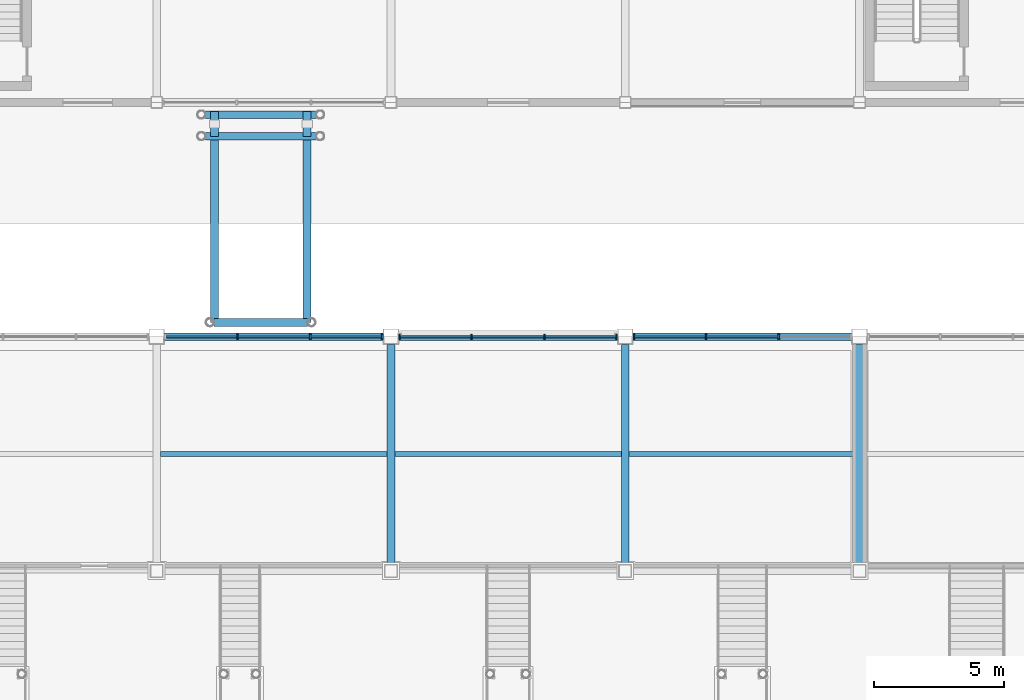
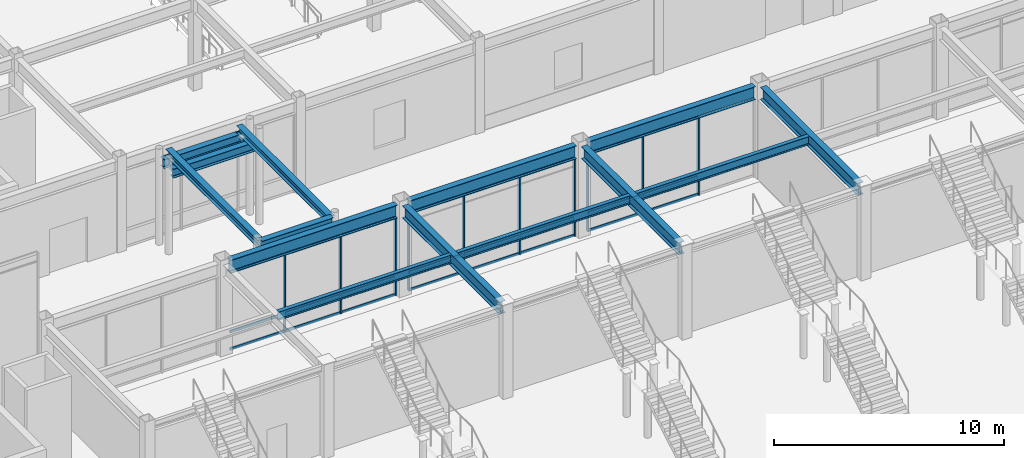
# One storey, part 46 of 123: 34 members, 16 beams, 3 elements without a shape of their own.
"""IFC4 building model written with IfcOpenShell, lengths in metres."""

from ifc_helpers import new_model, si_unit, direction, frame, origin, origin_2d, place, context, subcontext, project, spatial, rectangle, i_section, extrude, material, material_profile, profile_set, type_object, element, aggregate, save


model = new_model("IFC4")

# Units and contexts
model_context = context("Model", 3, precision=1e-05, world=origin(), true_north=direction((0.0, 1.0)))
body_context = subcontext(model_context, "Body", "Model", "MODEL_VIEW")
ifc_project = project(units=[si_unit("LENGTHUNIT", "METRE"), si_unit("AREAUNIT", "SQUARE_METRE"), si_unit("VOLUMEUNIT", "CUBIC_METRE"), si_unit("PLANEANGLEUNIT", "RADIAN"), si_unit("MASSUNIT", "GRAM", prefix="KILO")], contexts=[model_context])

# Site, building, storey
site_placement = place(None, origin())
site = spatial("IfcSite", under=ifc_project, at=site_placement, CompositionType="ELEMENT")
building_placement = place(site_placement, origin())
building = spatial("IfcBuilding", under=site, at=building_placement, Name="Suzunagisa Mobility Hub", CompositionType="ELEMENT")
storey_placement = place(building_placement, origin())
storey = spatial("IfcBuildingStorey", under=building, at=storey_placement, Name="L00", CompositionType="ELEMENT", Elevation=0.0)

# Curtain wall, members
ifc_material_1 = material(Name="Thermally Broken Anodized Aluminum and Low-E Glazing", Category="aluminium")
curtain_wall_type = type_object("IfcCurtainWallType", Name="Unitised Curtain Wall CW-32 8500x4200", PredefinedType="USERDEFINED", material=ifc_material_1)
curtain_wall_1_placement = place(storey_placement, origin())
curtain_wall_1 = element("IfcCurtainWall", 1, at=curtain_wall_1_placement, inside=storey, type_object=curtain_wall_type, Name="L00 Unitised Curtain Wall CW-38", ObjectType="UNITISED CURTAIN WALL", PredefinedType="USERDEFINED")
ifc_material_2 = material(Name="Anodized Aluminum 6063-T6", Category="aluminium")
ifc_material_profile_1 = material_profile(ifc_material_2, rectangle(XDim=0.06494140625, YDim=0.139892578125, at=origin_2d()), Name="TRAN-65x140")
ifc_profile_set_1 = profile_set([ifc_material_profile_1], Name="Anodized Aluminum 6063-T6")
member_type_1 = type_object("IfcMemberType", Name="Curtain Wall Framing CM-01 TRAN-65x140", PredefinedType="USERDEFINED", material=ifc_profile_set_1)
member_1_placement = place(storey_placement, frame((86.869384765625, 71.0, 0.032470703125), z_axis=(-1.0, 0.0, 0.0), x_axis=(0.0, -1.0, 0.0)))
member_1 = element("IfcMember", 2, at=member_1_placement, type_object=member_type_1, Name="Curtain Wall Transom 38-T2.1", ObjectType="TRANSOM", PredefinedType="USERDEFINED", context=body_context, shape_type="SweptSolid", body=[
    extrude(rectangle(XDim=0.06494140625, YDim=0.139892578125, at=origin_2d()), origin(), (0.0, 0.0, 1.0), 2.73876953125),
])
member_2_placement = place(storey_placement, frame((86.869384765625, 71.0, 0.949951171875), z_axis=(-1.0, 0.0, 0.0), x_axis=(0.0, -1.0, 0.0)))
member_2 = element("IfcMember", 3, at=member_2_placement, type_object=member_type_1, Name="Curtain Wall Transom 38-T2.2", ObjectType="TRANSOM", PredefinedType="USERDEFINED", context=body_context, shape_type="SweptSolid", body=[
    extrude(rectangle(XDim=0.06494140625, YDim=0.139892578125, at=origin_2d()), origin(), (0.0, 0.0, 1.0), 2.73876953125),
])
member_3_placement = place(storey_placement, frame((86.869384765625, 71.0, 4.117431640625), z_axis=(-1.0, 0.0, 0.0), x_axis=(0.0, -1.0, 0.0)))
member_3 = element("IfcMember", 4, at=member_3_placement, type_object=member_type_1, Name="Curtain Wall Transom 38-T2.3", ObjectType="TRANSOM", PredefinedType="USERDEFINED", context=body_context, shape_type="SweptSolid", body=[
    extrude(rectangle(XDim=0.06494140625, YDim=0.139892578125, at=origin_2d()), origin(), (0.0, 0.0, 1.0), 2.73876953125),
])
member_4_placement = place(storey_placement, frame((84.069580078125, 71.0, 0.032470703125), z_axis=(-1.0, 0.0, 0.0), x_axis=(0.0, -1.0, 0.0)))
member_4 = element("IfcMember", 5, at=member_4_placement, type_object=member_type_1, Name="Curtain Wall Transom 38-T3.1", ObjectType="TRANSOM", PredefinedType="USERDEFINED", context=body_context, shape_type="SweptSolid", body=[
    extrude(rectangle(XDim=0.06494140625, YDim=0.139892578125, at=origin_2d()), origin(), (0.0, 0.0, 1.0), 2.70654296875),
])
member_5_placement = place(storey_placement, frame((84.069580078125, 71.0, 0.949951171875), z_axis=(-1.0, 0.0, 0.0), x_axis=(0.0, -1.0, 0.0)))
member_5 = element("IfcMember", 6, at=member_5_placement, type_object=member_type_1, Name="Curtain Wall Transom 38-T3.2", ObjectType="TRANSOM", PredefinedType="USERDEFINED", context=body_context, shape_type="SweptSolid", body=[
    extrude(rectangle(XDim=0.06494140625, YDim=0.139892578125, at=origin_2d()), origin(), (0.0, 0.0, 1.0), 2.70654296875),
])
member_6_placement = place(storey_placement, frame((84.069580078125, 71.0, 4.117431640625), z_axis=(-1.0, 0.0, 0.0), x_axis=(0.0, -1.0, 0.0)))
member_6 = element("IfcMember", 7, at=member_6_placement, type_object=member_type_1, Name="Curtain Wall Transom 38-T3.3", ObjectType="TRANSOM", PredefinedType="USERDEFINED", context=body_context, shape_type="SweptSolid", body=[
    extrude(rectangle(XDim=0.06494140625, YDim=0.139892578125, at=origin_2d()), origin(), (0.0, 0.0, 1.0), 2.70654296875),
])

curtain_wall_2_placement = place(storey_placement, origin())
curtain_wall_2 = element("IfcCurtainWall", 8, at=curtain_wall_2_placement, inside=storey, type_object=curtain_wall_type, Name="L00 Unitised Curtain Wall CW-39", ObjectType="UNITISED CURTAIN WALL", PredefinedType="USERDEFINED")
member_7_placement = place(storey_placement, frame((80.636962890625, 71.0, 0.032470703125), z_axis=(-1.0, 0.0, 0.0), x_axis=(0.0, -1.0, 0.0)))
member_7 = element("IfcMember", 9, at=member_7_placement, type_object=member_type_1, Name="Curtain Wall Transom 39-T1.1", ObjectType="TRANSOM", PredefinedType="USERDEFINED", context=body_context, shape_type="SweptSolid", body=[
    extrude(rectangle(XDim=0.06494140625, YDim=0.139892578125, at=origin_2d()), origin(), (0.0, 0.0, 1.0), 2.70654296875),
])
member_8_placement = place(storey_placement, frame((80.636962890625, 71.0, 0.949951171875), z_axis=(-1.0, 0.0, 0.0), x_axis=(0.0, -1.0, 0.0)))
member_8 = element("IfcMember", 10, at=member_8_placement, type_object=member_type_1, Name="Curtain Wall Transom 39-T1.2", ObjectType="TRANSOM", PredefinedType="USERDEFINED", context=body_context, shape_type="SweptSolid", body=[
    extrude(rectangle(XDim=0.06494140625, YDim=0.139892578125, at=origin_2d()), origin(), (0.0, 0.0, 1.0), 2.70654296875),
])
member_9_placement = place(storey_placement, frame((80.636962890625, 71.0, 4.117431640625), z_axis=(-1.0, 0.0, 0.0), x_axis=(0.0, -1.0, 0.0)))
member_9 = element("IfcMember", 11, at=member_9_placement, type_object=member_type_1, Name="Curtain Wall Transom 39-T1.3", ObjectType="TRANSOM", PredefinedType="USERDEFINED", context=body_context, shape_type="SweptSolid", body=[
    extrude(rectangle(XDim=0.06494140625, YDim=0.139892578125, at=origin_2d()), origin(), (0.0, 0.0, 1.0), 2.70654296875),
])
member_10_placement = place(storey_placement, frame((77.869384765625, 71.0, 0.032470703125), z_axis=(-1.0, 0.0, 0.0), x_axis=(0.0, -1.0, 0.0)))
member_10 = element("IfcMember", 12, at=member_10_placement, type_object=member_type_1, Name="Curtain Wall Transom 39-T2.1", ObjectType="TRANSOM", PredefinedType="USERDEFINED", context=body_context, shape_type="SweptSolid", body=[
    extrude(rectangle(XDim=0.06494140625, YDim=0.139892578125, at=origin_2d()), origin(), (0.0, 0.0, 1.0), 2.73876953125),
])
member_11_placement = place(storey_placement, frame((77.869384765625, 71.0, 0.949951171875), z_axis=(-1.0, 0.0, 0.0), x_axis=(0.0, -1.0, 0.0)))
member_11 = element("IfcMember", 13, at=member_11_placement, type_object=member_type_1, Name="Curtain Wall Transom 39-T2.2", ObjectType="TRANSOM", PredefinedType="USERDEFINED", context=body_context, shape_type="SweptSolid", body=[
    extrude(rectangle(XDim=0.06494140625, YDim=0.139892578125, at=origin_2d()), origin(), (0.0, 0.0, 1.0), 2.73876953125),
])
member_12_placement = place(storey_placement, frame((77.869384765625, 71.0, 4.117431640625), z_axis=(-1.0, 0.0, 0.0), x_axis=(0.0, -1.0, 0.0)))
member_12 = element("IfcMember", 14, at=member_12_placement, type_object=member_type_1, Name="Curtain Wall Transom 39-T2.3", ObjectType="TRANSOM", PredefinedType="USERDEFINED", context=body_context, shape_type="SweptSolid", body=[
    extrude(rectangle(XDim=0.06494140625, YDim=0.139892578125, at=origin_2d()), origin(), (0.0, 0.0, 1.0), 2.73876953125),
])
member_13_placement = place(storey_placement, frame((75.069580078125, 71.0, 0.032470703125), z_axis=(-1.0, 0.0, 0.0), x_axis=(0.0, -1.0, 0.0)))
member_13 = element("IfcMember", 15, at=member_13_placement, type_object=member_type_1, Name="Curtain Wall Transom 39-T3.1", ObjectType="TRANSOM", PredefinedType="USERDEFINED", context=body_context, shape_type="SweptSolid", body=[
    extrude(rectangle(XDim=0.06494140625, YDim=0.139892578125, at=origin_2d()), origin(), (0.0, 0.0, 1.0), 2.70654296875),
])
member_14_placement = place(storey_placement, frame((75.069580078125, 71.0, 0.949951171875), z_axis=(-1.0, 0.0, 0.0), x_axis=(0.0, -1.0, 0.0)))
member_14 = element("IfcMember", 16, at=member_14_placement, type_object=member_type_1, Name="Curtain Wall Transom 39-T3.2", ObjectType="TRANSOM", PredefinedType="USERDEFINED", context=body_context, shape_type="SweptSolid", body=[
    extrude(rectangle(XDim=0.06494140625, YDim=0.139892578125, at=origin_2d()), origin(), (0.0, 0.0, 1.0), 2.70654296875),
])
member_15_placement = place(storey_placement, frame((75.069580078125, 71.0, 4.117431640625), z_axis=(-1.0, 0.0, 0.0), x_axis=(0.0, -1.0, 0.0)))
member_15 = element("IfcMember", 17, at=member_15_placement, type_object=member_type_1, Name="Curtain Wall Transom 39-T3.3", ObjectType="TRANSOM", PredefinedType="USERDEFINED", context=body_context, shape_type="SweptSolid", body=[
    extrude(rectangle(XDim=0.06494140625, YDim=0.139892578125, at=origin_2d()), origin(), (0.0, 0.0, 1.0), 2.70654296875),
])

curtain_wall_3_placement = place(storey_placement, origin())
curtain_wall_3 = element("IfcCurtainWall", 18, at=curtain_wall_3_placement, inside=storey, type_object=curtain_wall_type, Name="L00 Unitised Curtain Wall CW-40", ObjectType="UNITISED CURTAIN WALL", PredefinedType="USERDEFINED")
member_16_placement = place(storey_placement, frame((71.636962890625, 71.0, 0.032470703125), z_axis=(-1.0, 0.0, 0.0), x_axis=(0.0, -1.0, 0.0)))
member_16 = element("IfcMember", 19, at=member_16_placement, type_object=member_type_1, Name="Curtain Wall Transom 40-T1.1", ObjectType="TRANSOM", PredefinedType="USERDEFINED", context=body_context, shape_type="SweptSolid", body=[
    extrude(rectangle(XDim=0.06494140625, YDim=0.139892578125, at=origin_2d()), origin(), (0.0, 0.0, 1.0), 2.70654296875),
])
member_17_placement = place(storey_placement, frame((71.636962890625, 71.0, 0.949951171875), z_axis=(-1.0, 0.0, 0.0), x_axis=(0.0, -1.0, 0.0)))
member_17 = element("IfcMember", 20, at=member_17_placement, type_object=member_type_1, Name="Curtain Wall Transom 40-T1.2", ObjectType="TRANSOM", PredefinedType="USERDEFINED", context=body_context, shape_type="SweptSolid", body=[
    extrude(rectangle(XDim=0.06494140625, YDim=0.139892578125, at=origin_2d()), origin(), (0.0, 0.0, 1.0), 2.70654296875),
])
member_18_placement = place(storey_placement, frame((71.636962890625, 71.0, 4.117431640625), z_axis=(-1.0, 0.0, 0.0), x_axis=(0.0, -1.0, 0.0)))
member_18 = element("IfcMember", 21, at=member_18_placement, type_object=member_type_1, Name="Curtain Wall Transom 40-T1.3", ObjectType="TRANSOM", PredefinedType="USERDEFINED", context=body_context, shape_type="SweptSolid", body=[
    extrude(rectangle(XDim=0.06494140625, YDim=0.139892578125, at=origin_2d()), origin(), (0.0, 0.0, 1.0), 2.70654296875),
])
member_19_placement = place(storey_placement, frame((68.869384765625, 71.0, 0.032470703125), z_axis=(-1.0, 0.0, 0.0), x_axis=(0.0, -1.0, 0.0)))
member_19 = element("IfcMember", 22, at=member_19_placement, type_object=member_type_1, Name="Curtain Wall Transom 40-T2.1", ObjectType="TRANSOM", PredefinedType="USERDEFINED", context=body_context, shape_type="SweptSolid", body=[
    extrude(rectangle(XDim=0.06494140625, YDim=0.139892578125, at=origin_2d()), origin(), (0.0, 0.0, 1.0), 2.73876953125),
])
member_20_placement = place(storey_placement, frame((68.869384765625, 71.0, 0.949951171875), z_axis=(-1.0, 0.0, 0.0), x_axis=(0.0, -1.0, 0.0)))
member_20 = element("IfcMember", 23, at=member_20_placement, type_object=member_type_1, Name="Curtain Wall Transom 40-T2.2", ObjectType="TRANSOM", PredefinedType="USERDEFINED", context=body_context, shape_type="SweptSolid", body=[
    extrude(rectangle(XDim=0.06494140625, YDim=0.139892578125, at=origin_2d()), origin(), (0.0, 0.0, 1.0), 2.73876953125),
])
member_21_placement = place(storey_placement, frame((68.869384765625, 71.0, 4.117431640625), z_axis=(-1.0, 0.0, 0.0), x_axis=(0.0, -1.0, 0.0)))
member_21 = element("IfcMember", 24, at=member_21_placement, type_object=member_type_1, Name="Curtain Wall Transom 40-T2.3", ObjectType="TRANSOM", PredefinedType="USERDEFINED", context=body_context, shape_type="SweptSolid", body=[
    extrude(rectangle(XDim=0.06494140625, YDim=0.139892578125, at=origin_2d()), origin(), (0.0, 0.0, 1.0), 2.73876953125),
])
member_22_placement = place(storey_placement, frame((66.069580078125, 71.0, 0.032470703125), z_axis=(-1.0, 0.0, 0.0), x_axis=(0.0, -1.0, 0.0)))
member_22 = element("IfcMember", 25, at=member_22_placement, type_object=member_type_1, Name="Curtain Wall Transom 40-T3.1", ObjectType="TRANSOM", PredefinedType="USERDEFINED", context=body_context, shape_type="SweptSolid", body=[
    extrude(rectangle(XDim=0.06494140625, YDim=0.139892578125, at=origin_2d()), origin(), (0.0, 0.0, 1.0), 2.70654296875),
])
member_23_placement = place(storey_placement, frame((66.069580078125, 71.0, 0.949951171875), z_axis=(-1.0, 0.0, 0.0), x_axis=(0.0, -1.0, 0.0)))
member_23 = element("IfcMember", 26, at=member_23_placement, type_object=member_type_1, Name="Curtain Wall Transom 40-T3.2", ObjectType="TRANSOM", PredefinedType="USERDEFINED", context=body_context, shape_type="SweptSolid", body=[
    extrude(rectangle(XDim=0.06494140625, YDim=0.139892578125, at=origin_2d()), origin(), (0.0, 0.0, 1.0), 2.70654296875),
])
member_24_placement = place(storey_placement, frame((66.069580078125, 71.0, 4.117431640625), z_axis=(-1.0, 0.0, 0.0), x_axis=(0.0, -1.0, 0.0)))
member_24 = element("IfcMember", 27, at=member_24_placement, type_object=member_type_1, Name="Curtain Wall Transom 40-T3.3", ObjectType="TRANSOM", PredefinedType="USERDEFINED", context=body_context, shape_type="SweptSolid", body=[
    extrude(rectangle(XDim=0.06494140625, YDim=0.139892578125, at=origin_2d()), origin(), (0.0, 0.0, 1.0), 2.70654296875),
])

# Member
ifc_material_profile_2 = material_profile(ifc_material_2, rectangle(XDim=0.06494140625, YDim=0.179931640625, at=origin_2d()), Name="MULL-65x180")
ifc_profile_set_2 = profile_set([ifc_material_profile_2], Name="Anodized Aluminum 6063-T6")
member_type_2 = type_object("IfcMemberType", Name="Curtain Wall Framing CM-04 MULL-65x180", PredefinedType="MULLION", material=ifc_profile_set_2)
member_25_placement = place(storey_placement, frame((86.89990234375, 71.0, 0.0), z_axis=(0.0, 0.0, 1.0), x_axis=(-1.0, 0.0, 0.0)))
member_25 = element("IfcMember", 28, at=member_25_placement, type_object=member_type_2, Name="Curtain Wall Mullion 38-M2", PredefinedType="MULLION", context=body_context, shape_type="SweptSolid", body=[
    extrude(rectangle(XDim=0.06494140625, YDim=0.179931640625, at=origin_2d()), origin(), (0.0, 0.0, 1.0), 4.14990234375),
])

member_26_placement = place(storey_placement, frame((84.10009765625, 71.0, 0.0), z_axis=(0.0, 0.0, 1.0), x_axis=(-1.0, 0.0, 0.0)))
member_26 = element("IfcMember", 29, at=member_26_placement, type_object=member_type_2, Name="Curtain Wall Mullion 38-M3", PredefinedType="MULLION", context=body_context, shape_type="SweptSolid", body=[
    extrude(rectangle(XDim=0.06494140625, YDim=0.179931640625, at=origin_2d()), origin(), (0.0, 0.0, 1.0), 4.14990234375),
])

member_27_placement = place(storey_placement, frame((81.33251953125, 71.0, 0.0), z_axis=(0.0, 0.0, 1.0), x_axis=(-1.0, 0.0, 0.0)))
member_27 = element("IfcMember", 30, at=member_27_placement, type_object=member_type_2, Name="Curtain Wall Mullion 38-M4", PredefinedType="MULLION", context=body_context, shape_type="SweptSolid", body=[
    extrude(rectangle(XDim=0.06494140625, YDim=0.179931640625, at=origin_2d()), origin(), (0.0, 0.0, 1.0), 4.14990234375),
])

aggregate(curtain_wall_1, [member_25, member_26, member_27, member_1, member_2, member_3, member_4, member_5, member_6])

member_28_placement = place(storey_placement, frame((80.66748046875, 71.0, 0.0), z_axis=(0.0, 0.0, 1.0), x_axis=(-1.0, 0.0, 0.0)))
member_28 = element("IfcMember", 31, at=member_28_placement, type_object=member_type_2, Name="Curtain Wall Mullion 39-M1", PredefinedType="MULLION", context=body_context, shape_type="SweptSolid", body=[
    extrude(rectangle(XDim=0.06494140625, YDim=0.179931640625, at=origin_2d()), origin(), (0.0, 0.0, 1.0), 4.14990234375),
])

member_29_placement = place(storey_placement, frame((77.89990234375, 71.0, 0.0), z_axis=(0.0, 0.0, 1.0), x_axis=(-1.0, 0.0, 0.0)))
member_29 = element("IfcMember", 32, at=member_29_placement, type_object=member_type_2, Name="Curtain Wall Mullion 39-M2", PredefinedType="MULLION", context=body_context, shape_type="SweptSolid", body=[
    extrude(rectangle(XDim=0.06494140625, YDim=0.179931640625, at=origin_2d()), origin(), (0.0, 0.0, 1.0), 4.14990234375),
])

member_30_placement = place(storey_placement, frame((75.10009765625, 71.0, 0.0), z_axis=(0.0, 0.0, 1.0), x_axis=(-1.0, 0.0, 0.0)))
member_30 = element("IfcMember", 33, at=member_30_placement, type_object=member_type_2, Name="Curtain Wall Mullion 39-M3", PredefinedType="MULLION", context=body_context, shape_type="SweptSolid", body=[
    extrude(rectangle(XDim=0.06494140625, YDim=0.179931640625, at=origin_2d()), origin(), (0.0, 0.0, 1.0), 4.14990234375),
])

member_31_placement = place(storey_placement, frame((72.33251953125, 71.0, 0.0), z_axis=(0.0, 0.0, 1.0), x_axis=(-1.0, 0.0, 0.0)))
member_31 = element("IfcMember", 34, at=member_31_placement, type_object=member_type_2, Name="Curtain Wall Mullion 39-M4", PredefinedType="MULLION", context=body_context, shape_type="SweptSolid", body=[
    extrude(rectangle(XDim=0.06494140625, YDim=0.179931640625, at=origin_2d()), origin(), (0.0, 0.0, 1.0), 4.14990234375),
])

aggregate(curtain_wall_2, [member_28, member_29, member_30, member_31, member_7, member_8, member_9, member_10, member_11, member_12, member_13, member_14, member_15])

member_32_placement = place(storey_placement, frame((71.66748046875, 71.0, 0.0), z_axis=(0.0, 0.0, 1.0), x_axis=(-1.0, 0.0, 0.0)))
member_32 = element("IfcMember", 35, at=member_32_placement, type_object=member_type_2, Name="Curtain Wall Mullion 40-M1", PredefinedType="MULLION", context=body_context, shape_type="SweptSolid", body=[
    extrude(rectangle(XDim=0.06494140625, YDim=0.179931640625, at=origin_2d()), origin(), (0.0, 0.0, 1.0), 4.14990234375),
])

member_33_placement = place(storey_placement, frame((68.89990234375, 71.0, 0.0), z_axis=(0.0, 0.0, 1.0), x_axis=(-1.0, 0.0, 0.0)))
member_33 = element("IfcMember", 36, at=member_33_placement, type_object=member_type_2, Name="Curtain Wall Mullion 40-M2", PredefinedType="MULLION", context=body_context, shape_type="SweptSolid", body=[
    extrude(rectangle(XDim=0.06494140625, YDim=0.179931640625, at=origin_2d()), origin(), (0.0, 0.0, 1.0), 4.14990234375),
])

member_34_placement = place(storey_placement, frame((66.10009765625, 71.0, 0.0), z_axis=(0.0, 0.0, 1.0), x_axis=(-1.0, 0.0, 0.0)))
member_34 = element("IfcMember", 37, at=member_34_placement, type_object=member_type_2, Name="Curtain Wall Mullion 40-M3", PredefinedType="MULLION", context=body_context, shape_type="SweptSolid", body=[
    extrude(rectangle(XDim=0.06494140625, YDim=0.179931640625, at=origin_2d()), origin(), (0.0, 0.0, 1.0), 4.14990234375),
])

aggregate(curtain_wall_3, [member_32, member_33, member_34, member_16, member_17, member_18, member_19, member_20, member_21, member_22, member_23, member_24])

# Beams
ifc_material_3 = material(Name="Steel SN400B", Category="steel")
ifc_material_profile_3 = material_profile(ifc_material_3, i_section(OverallWidth=0.199951171875, OverallDepth=0.449951171875, WebThickness=0.009033203125, FlangeThickness=0.013916015625, FilletRadius=0.012939453125, at=origin_2d()), Name="H-450x200x9x14")
ifc_profile_set_3 = profile_set([ifc_material_profile_3], Name="Steel SN400B")
beam_type_1 = type_object("IfcBeamType", Name="Steel Beam BM-05 H-450x200x9x14", PredefinedType="JOIST", material=ifc_profile_set_3)
for number, where, z_axis, x_axis, name in (
    (38, (63.14990234375, 66.5, 4.625), (1.0, 0.0, 0.0), (0.0, 1.0, 0.0), "L00 Composite Floor Joist J-408"),
    (39, (72.14990234375, 66.5, 4.625), (1.0, 0.0, 0.0), (0.0, 1.0, 0.0), "L00 Composite Floor Joist J-409"),
    (40, (81.14990234375, 66.5, 4.625), (1.0, 0.0, 0.0), (0.0, 1.0, 0.0), "L00 Composite Floor Joist J-410"),
):
    element("IfcBeam", number, at=place(storey_placement, frame(where, z_axis=z_axis, x_axis=x_axis)), inside=storey, type_object=beam_type_1, Name=name, PredefinedType="JOIST", context=body_context, shape_type="SweptSolid", body=[
        extrude(i_section(OverallWidth=0.199951171875, OverallDepth=0.449951171875, WebThickness=0.009033203125, FlangeThickness=0.013916015625, FilletRadius=0.012939453125, at=origin_2d()), origin(), (0.0, 0.0, 1.0), 8.7001953125),
    ])
ifc_material_4 = material(Name="Steel SN490B", Category="steel")
ifc_material_profile_4 = material_profile(ifc_material_4, i_section(OverallWidth=0.300048828125, OverallDepth=0.488037109375, WebThickness=0.010986328125, FlangeThickness=0.01806640625, FilletRadius=0.012939453125, at=origin_2d()), Name="H-488x300x11x18")
ifc_profile_set_4 = profile_set([ifc_material_profile_4], Name="Steel SN490B")
beam_type_2 = type_object("IfcBeamType", Name="Steel Beam BM-06 H-488x300x11x18", PredefinedType="BEAM", material=ifc_profile_set_4)
beam_placement = place(storey_placement, frame((65.2099609375, 71.550048828125, 4.615966796875), z_axis=(1.0, 0.0, 0.0), x_axis=(0.0, 1.0, 0.0)))
element("IfcBeam", 41, at=beam_placement, inside=storey, type_object=beam_type_2, Name="L01 Skybridge Fixed Crosshead SB-02", PredefinedType="BEAM", context=body_context, shape_type="SweptSolid", body=[
    extrude(i_section(OverallWidth=0.300048828125, OverallDepth=0.488037109375, WebThickness=0.010986328125, FlangeThickness=0.01806640625, FilletRadius=0.012939453125, at=origin_2d()), origin(), (0.0, 0.0, 1.0), 3.580078125),
])
for number, where, z_axis, x_axis, name in (
    (42, (64.8798828125, 78.699951171875, 4.22607421875), (1.0, 0.0, 0.0), (0.0, 1.0, 0.0), "L01 Skybridge Seat Crosshead SB-02-S"),
    (43, (64.8798828125, 79.530029296875, 4.22607421875), (1.0, 0.0, 0.0), (0.0, 1.0, 0.0), "L01 Skybridge Seat Crosshead SB-02-N"),
):
    element("IfcBeam", number, at=place(storey_placement, frame(where, z_axis=z_axis, x_axis=x_axis)), inside=storey, type_object=beam_type_2, Name=name, PredefinedType="BEAM", context=body_context, shape_type="SweptSolid", body=[
        extrude(i_section(OverallWidth=0.300048828125, OverallDepth=0.488037109375, WebThickness=0.010986328125, FlangeThickness=0.01806640625, FilletRadius=0.012939453125, at=origin_2d()), origin(), (0.0, 0.0, 1.0), 4.240234375),
    ])
for number, where, z_axis, x_axis, name in (
    (44, (65.219970703125, 78.699951171875, 4.22607421875), (0.0, 1.0, 0.0), (-1.0, 0.0, 0.0), "L01 Skybridge 950mm Bearing Seat SB-02-A"),
    (45, (68.780029296875, 78.699951171875, 4.22607421875), (0.0, 1.0, 0.0), (-1.0, 0.0, 0.0), "L01 Skybridge 950mm Bearing Seat SB-02-B"),
):
    element("IfcBeam", number, at=place(storey_placement, frame(where, z_axis=z_axis, x_axis=x_axis)), inside=storey, type_object=beam_type_2, Name=name, PredefinedType="BEAM", context=body_context, shape_type="SweptSolid", body=[
        extrude(i_section(OverallWidth=0.300048828125, OverallDepth=0.488037109375, WebThickness=0.010986328125, FlangeThickness=0.01806640625, FilletRadius=0.012939453125, at=origin_2d()), origin(), (0.0, 0.0, 1.0), 0.949951171875),
    ])
ifc_material_profile_5 = material_profile(ifc_material_4, i_section(OverallWidth=0.300048828125, OverallDepth=0.64990234375, WebThickness=0.012939453125, FlangeThickness=0.02197265625, FilletRadius=0.01611328125, at=origin_2d()), Name="H-650x300x13x22")
ifc_profile_set_5 = profile_set([ifc_material_profile_5], Name="Steel SN490B")
beam_type_3 = type_object("IfcBeamType", Name="Steel Beam BM-10 H-650x300x13x22", PredefinedType="BEAM", material=ifc_profile_set_5)
for number, where, z_axis, x_axis, name in (
    (46, (72.0, 62.24609375, 4.52490234375), (0.0, 1.0, 0.0), (-1.0, 0.0, 0.0), "L00 Primary Girder GY-402"),
    (47, (81.0, 62.24609375, 4.52490234375), (0.0, 1.0, 0.0), (-1.0, 0.0, 0.0), "L00 Primary Girder GY-403"),
    (48, (90.0, 62.24609375, 4.52490234375), (0.0, 1.0, 0.0), (-1.0, 0.0, 0.0), "L00 Primary Girder GY-404"),
):
    element("IfcBeam", number, at=place(storey_placement, frame(where, z_axis=z_axis, x_axis=x_axis)), inside=storey, type_object=beam_type_3, Name=name, PredefinedType="BEAM", context=body_context, shape_type="SweptSolid", body=[
        extrude(i_section(OverallWidth=0.300048828125, OverallDepth=0.64990234375, WebThickness=0.012939453125, FlangeThickness=0.02197265625, FilletRadius=0.01611328125, at=origin_2d()), origin(), (0.0, 0.0, 1.0), 8.4580078125),
    ])
ifc_material_profile_6 = material_profile(ifc_material_4, i_section(OverallWidth=0.300048828125, OverallDepth=0.699951171875, WebThickness=0.012939453125, FlangeThickness=0.02392578125, FilletRadius=0.01806640625, at=origin_2d()), Name="H-700x300x13x24")
ifc_profile_set_6 = profile_set([ifc_material_profile_6], Name="Steel SN490B")
beam_type_4 = type_object("IfcBeamType", Name="Steel Beam BM-11 H-700x300x13x24", PredefinedType="BEAM", material=ifc_profile_set_6)
for number, where, z_axis, x_axis, name in (
    (49, (63.2958984375, 71.0, 4.5), (1.0, 0.0, 0.0), (0.0, 1.0, 0.0), "L00 Primary Girder GX-395"),
    (50, (72.2958984375, 71.0, 4.5), (1.0, 0.0, 0.0), (0.0, 1.0, 0.0), "L00 Primary Girder GX-396"),
    (51, (81.2958984375, 71.0, 4.5), (1.0, 0.0, 0.0), (0.0, 1.0, 0.0), "L00 Primary Girder GX-397"),
):
    element("IfcBeam", number, at=place(storey_placement, frame(where, z_axis=z_axis, x_axis=x_axis)), inside=storey, type_object=beam_type_4, Name=name, PredefinedType="BEAM", context=body_context, shape_type="SweptSolid", body=[
        extrude(i_section(OverallWidth=0.300048828125, OverallDepth=0.699951171875, WebThickness=0.012939453125, FlangeThickness=0.02392578125, FilletRadius=0.01806640625, at=origin_2d()), origin(), (0.0, 0.0, 1.0), 8.408203125),
    ])
ifc_material_profile_7 = material_profile(ifc_material_4, i_section(OverallWidth=0.300048828125, OverallDepth=0.389892578125, WebThickness=0.010009765625, FlangeThickness=0.01611328125, FilletRadius=0.012939453125, at=origin_2d()), Name="H-390x300x10x16")
ifc_profile_set_7 = profile_set([ifc_material_profile_7], Name="Steel SN490B")
beam_type_5 = type_object("IfcBeamType", Name="Steel Beam BM-17 H-390x300x10x16", PredefinedType="T_BEAM", material=ifc_profile_set_7)
for number, where, z_axis, x_axis, name in (
    (52, (65.219970703125, 71.550048828125, 4.6650390625), (0.0, 1.0, 0.0), (-1.0, 0.0, 0.0), "L01 Bridge Girder SB-02-A"),
    (53, (68.780029296875, 71.550048828125, 4.6650390625), (0.0, 1.0, 0.0), (-1.0, 0.0, 0.0), "L01 Bridge Girder SB-02-B"),
):
    element("IfcBeam", number, at=place(storey_placement, frame(where, z_axis=z_axis, x_axis=x_axis)), inside=storey, type_object=beam_type_5, Name=name, PredefinedType="T_BEAM", context=body_context, shape_type="SweptSolid", body=[
        extrude(i_section(OverallWidth=0.300048828125, OverallDepth=0.389892578125, WebThickness=0.010009765625, FlangeThickness=0.01611328125, FilletRadius=0.012939453125, at=origin_2d()), origin(), (0.0, 0.0, 1.0), 8.02001953125),
    ])

save(model, "model.ifc")
